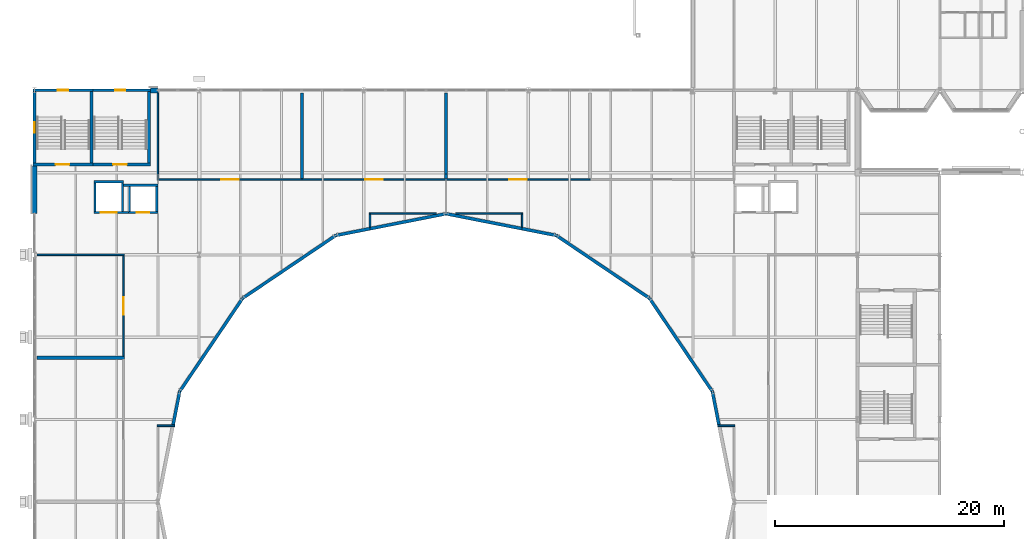
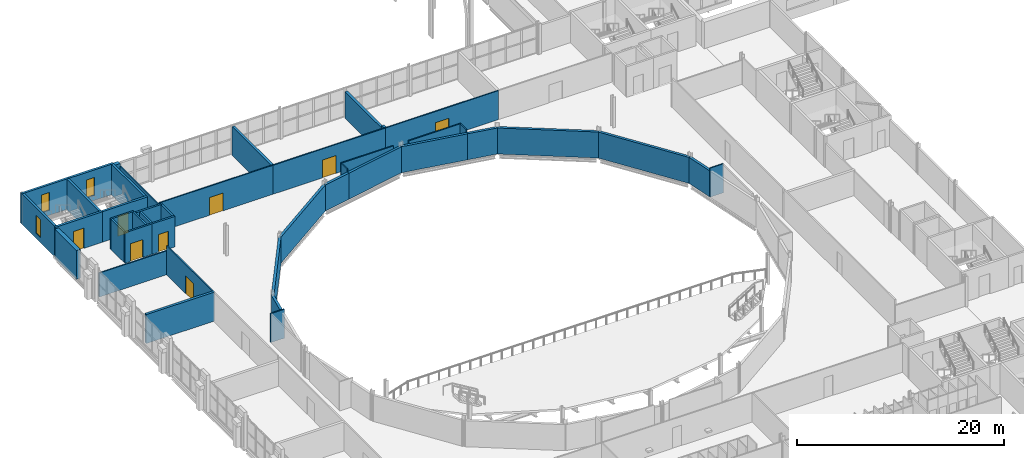
# One storey, part 71 of 124: 43 walls, 8 doors, 3 windows, 11 openings.
"""IFC4 building model written with IfcOpenShell, lengths in metres."""

from ifc_helpers import new_model, si_unit, direction, frame, frame_2d, origin, place, context, subcontext, project, spatial, rectangle, extrude, material, layer, layer_set, type_object, element, fill, save


model = new_model("IFC4")

# Units and contexts
model_context = context("Model", 3, precision=1e-05, world=origin(), true_north=direction((0.0, 1.0)))
body_context = subcontext(model_context, "Body", "Model", "MODEL_VIEW")
ifc_project = project(units=[si_unit("LENGTHUNIT", "METRE"), si_unit("AREAUNIT", "SQUARE_METRE"), si_unit("VOLUMEUNIT", "CUBIC_METRE"), si_unit("PLANEANGLEUNIT", "RADIAN"), si_unit("MASSUNIT", "GRAM", prefix="KILO")], contexts=[model_context])

# Site, building, storey
site_placement = place(None, origin())
site = spatial("IfcSite", under=ifc_project, at=site_placement, CompositionType="ELEMENT")
building_placement = place(site_placement, origin())
building = spatial("IfcBuilding", under=site, at=building_placement, Name="Kupolbacken Congress Centre", CompositionType="ELEMENT")
storey_placement = place(building_placement, frame((0.0, 0.0, 10.800048828125)))
storey = spatial("IfcBuildingStorey", under=building, at=storey_placement, Name="L03", CompositionType="ELEMENT", Elevation=10.800048828125)

# Walls
ifc_material_1 = material(Name="Limestone", Category="masonry")
ifc_layer_1 = layer(ifc_material_1, 0.1201171875)
ifc_material_2 = material(Name="Air cavity", Category="air")
ifc_layer_2 = layer(ifc_material_2, 0.0400390625, ventilated=True)
ifc_material_3 = material(Name="Mineral wool", Category="insulation")
ifc_layer_3 = layer(ifc_material_3, 0.159912109375)
ifc_material_4 = material(Name="Concrete block", Category="masonry")
ifc_layer_4 = layer(ifc_material_4, 0.1201171875)
ifc_layer_set_1 = layer_set([ifc_layer_1, ifc_layer_2, ifc_layer_3, ifc_layer_4], Name="Limestone / Mineral wool / Concrete block")
wall_type_1 = type_object("IfcWallType", Name="EW05 external cavity wall 440", PredefinedType="SOLIDWALL", material=ifc_layer_set_1)
wall_1_placement = place(storey_placement, frame((18.0, 122.39990234375, 0.0), z_axis=(0.0, 0.0, 1.0), x_axis=(-1.0, 0.0, 0.0)))
element("IfcWall", 1, at=wall_1_placement, inside=storey, type_object=wall_type_1, Name="E/P/N/L03/381", PredefinedType="SOLIDWALL", context=body_context, shape_type="SweptSolid", body=[
    extrude(rectangle(XDim=0.675048828125, YDim=0.43994140625, at=frame_2d((0.33740234375, 0.0))), origin(), (0.0, 0.0, 1.0), 3.419921875),
])
wall_2_placement = place(storey_placement, frame((7.199951171875, 115.77490234375, 0.0), z_axis=(0.0, 0.0, 1.0), x_axis=(0.0, -1.0, 0.0)))
element("IfcWall", 2, at=wall_2_placement, inside=storey, type_object=wall_type_1, Name="E/P/W/L03/385", PredefinedType="SOLIDWALL", context=body_context, shape_type="SweptSolid", body=[
    extrude(rectangle(XDim=4.1748046875, YDim=0.43994140625, at=frame_2d((2.08740234375, 0.0))), origin(), (0.0, 0.0, 1.0), 3.419921875),
])
ifc_material_5 = material(Name="Gypsum board", Category="drywall")
ifc_layer_5 = layer(ifc_material_5, 0.135009765625)
ifc_layer_set_2 = layer_set([ifc_layer_5], Name="Gypsum board")
wall_type_2 = type_object("IfcWallType", Name="P06 compartment wall 135", PredefinedType="PARTITIONING", material=ifc_layer_set_2)
wall_3_placement = place(storey_placement, frame((18.0, 122.179931640625, 0.0), z_axis=(0.0, 0.0, 1.0), x_axis=(0.0, -1.0, 0.0)))
element("IfcWall", 3, at=wall_3_placement, inside=storey, type_object=wall_type_2, Name="PD/L03/W006", PredefinedType="PARTITIONING", context=body_context, shape_type="SweptSolid", body=[
    extrude(rectangle(XDim=7.512451171875, YDim=0.135009765625, at=frame_2d((3.75634765625, 0.0))), origin(), (0.0, 0.0, 1.0), 3.119873046875),
])

# Wall, opening, door
wall_4_placement = place(storey_placement, frame((15.0, 107.9326171875, 0.0), z_axis=(0.0, 0.0, 1.0), x_axis=(0.0, -1.0, 0.0)))
wall_4 = element("IfcWall", 4, at=wall_4_placement, inside=storey, type_object=wall_type_2, Name="PD/L03/W056", PredefinedType="PARTITIONING", context=body_context, shape_type="SweptSolid", body=[
    extrude(rectangle(XDim=8.795166015625, YDim=0.135009765625, at=frame_2d((4.3974609375, 0.0))), origin(), (0.0, 0.0, 1.0), 3.419921875),
])
opening_1_placement = place(wall_4_placement, frame((3.64990234375, 0.0, 0.0)))
opening_1 = element("IfcOpeningElement", 5, at=opening_1_placement, cuts=wall_4, Name="Opening 3.P12", PredefinedType="OPENING", context=body_context, shape_type="SweptSolid", body=[
    extrude(rectangle(XDim=1.5, YDim=2.10009765625, at=frame_2d((0.75, 1.050048828125))), frame((0.0, 0.077392578125, 0.0), z_axis=(0.0, -1.0, 0.0), x_axis=(1.0, 0.0, 0.0)), (0.0, 0.0, 1.0), 0.155029296875),
])
ifc_material_6 = material(Name="Steel fire door leaf", Category="steel")
door_type_1 = type_object("IfcDoorType", Name="D12 fire door 1500x2100", OperationType="DOUBLE_DOOR_SINGLE_SWING", PredefinedType="DOOR", material=ifc_material_6)
door_1_placement = place(opening_1_placement, frame((1.5, 0.0, 0.0), z_axis=(0.0, 0.0, 1.0), x_axis=(-1.0, 0.0, 0.0)))
door_1 = element("IfcDoor", 6, at=door_1_placement, inside=storey, type_object=door_type_1, Name="PD/L03/W056/D3P12", OperationType="DOUBLE_DOOR_SINGLE_SWING", OverallHeight=2.10009765625, OverallWidth=1.5, PredefinedType="DOOR", context=body_context, shape_type="SweptSolid", body=[
    extrude(rectangle(XDim=1.5, YDim=2.10009765625, at=frame_2d((0.75, 1.050048828125))), frame((0.0, 0.02490234375, 0.0), z_axis=(0.0, -1.0, 0.0), x_axis=(1.0, 0.0, 0.0)), (0.0, 0.0, 1.0), 0.050048828125),
])
fill(opening_1, door_1)

# Wall
wall_5_placement = place(storey_placement, frame((7.419921875, 108.0, 0.0), z_axis=(0.0, 0.0, 1.0), x_axis=(1.0, 0.0, 0.0)))
element("IfcWall", 7, at=wall_5_placement, inside=storey, type_object=wall_type_2, Name="PD/L03/W057", PredefinedType="PARTITIONING", context=body_context, shape_type="SweptSolid", body=[
    extrude(rectangle(XDim=7.6474609375, YDim=0.135009765625, at=frame_2d((3.82373046875, 0.0))), origin(), (0.0, 0.0, 1.0), 2.820068359375),
])

# Wall, opening, door
wall_6_placement = place(storey_placement, frame((30.60009765625, 114.60009765625, 0.0), z_axis=(0.0, 0.0, 1.0), x_axis=(-1.0, 0.0, 0.0)))
wall_6 = element("IfcWall", 8, at=wall_6_placement, inside=storey, type_object=wall_type_2, Name="PD/L03/W059", PredefinedType="PARTITIONING", context=body_context, shape_type="SweptSolid", body=[
    extrude(rectangle(XDim=12.66748046875, YDim=0.135009765625, at=frame_2d((6.333740234375, 0.0))), origin(), (0.0, 0.0, 1.0), 3.419921875),
])
opening_2_placement = place(wall_6_placement, frame((5.550048828125, 0.0, 0.0)))
opening_2 = element("IfcOpeningElement", 9, at=opening_2_placement, cuts=wall_6, Name="Opening 3.P13", PredefinedType="OPENING", context=body_context, shape_type="SweptSolid", body=[
    extrude(rectangle(XDim=1.5, YDim=2.10009765625, at=frame_2d((0.75, 1.050048828125))), frame((0.0, 0.077392578125, 0.0), z_axis=(0.0, -1.0, 0.0), x_axis=(1.0, 0.0, 0.0)), (0.0, 0.0, 1.0), 0.155029296875),
])
door_2_placement = place(opening_2_placement, origin())
door_2 = element("IfcDoor", 10, at=door_2_placement, inside=storey, type_object=door_type_1, Name="PD/L03/W059/D3P13", OperationType="DOUBLE_DOOR_SINGLE_SWING", OverallHeight=2.10009765625, OverallWidth=1.5, PredefinedType="DOOR", context=body_context, shape_type="SweptSolid", body=[
    extrude(rectangle(XDim=1.5, YDim=2.10009765625, at=frame_2d((0.75, 1.050048828125))), frame((0.0, 0.02490234375, 0.0), z_axis=(0.0, -1.0, 0.0), x_axis=(1.0, 0.0, 0.0)), (0.0, 0.0, 1.0), 0.050048828125),
])
fill(opening_2, door_2)

wall_7_placement = place(storey_placement, frame((43.199951171875, 114.60009765625, 0.0), z_axis=(0.0, 0.0, 1.0), x_axis=(-1.0, 0.0, 0.0)))
wall_7 = element("IfcWall", 11, at=wall_7_placement, inside=storey, type_object=wall_type_2, Name="PD/L03/W061", PredefinedType="PARTITIONING", context=body_context, shape_type="SweptSolid", body=[
    extrude(rectangle(XDim=12.599853515625, YDim=0.135009765625, at=frame_2d((6.2998046875, 0.0))), origin(), (0.0, 0.0, 1.0), 3.419921875),
])
opening_3_placement = place(wall_7_placement, frame((5.550048828125, 0.0, 0.0)))
opening_3 = element("IfcOpeningElement", 12, at=opening_3_placement, cuts=wall_7, Name="Opening 3.P14", PredefinedType="OPENING", context=body_context, shape_type="SweptSolid", body=[
    extrude(rectangle(XDim=1.5, YDim=2.10009765625, at=frame_2d((0.75, 1.050048828125))), frame((0.0, 0.077392578125, 0.0), z_axis=(0.0, -1.0, 0.0), x_axis=(1.0, 0.0, 0.0)), (0.0, 0.0, 1.0), 0.155029296875),
])
door_3_placement = place(opening_3_placement, origin())
door_3 = element("IfcDoor", 13, at=door_3_placement, inside=storey, type_object=door_type_1, Name="PD/L03/W061/D3P14", OperationType="DOUBLE_DOOR_SINGLE_SWING", OverallHeight=2.10009765625, OverallWidth=1.5, PredefinedType="DOOR", context=body_context, shape_type="SweptSolid", body=[
    extrude(rectangle(XDim=1.5, YDim=2.10009765625, at=frame_2d((0.75, 1.050048828125))), frame((0.0, 0.02490234375, 0.0), z_axis=(0.0, -1.0, 0.0), x_axis=(1.0, 0.0, 0.0)), (0.0, 0.0, 1.0), 0.050048828125),
])
fill(opening_3, door_3)

wall_8_placement = place(storey_placement, frame((55.800048828125, 114.60009765625, 0.0), z_axis=(0.0, 0.0, 1.0), x_axis=(-1.0, 0.0, 0.0)))
wall_8 = element("IfcWall", 14, at=wall_8_placement, inside=storey, type_object=wall_type_2, Name="PD/L03/W063", PredefinedType="PARTITIONING", context=body_context, shape_type="SweptSolid", body=[
    extrude(rectangle(XDim=12.60009765625, YDim=0.135009765625, at=frame_2d((6.300048828125, 0.0))), origin(), (0.0, 0.0, 1.0), 3.419921875),
])
opening_4_placement = place(wall_8_placement, frame((5.550048828125, 0.0, 0.0)))
opening_4 = element("IfcOpeningElement", 15, at=opening_4_placement, cuts=wall_8, Name="Opening 3.P15", PredefinedType="OPENING", context=body_context, shape_type="SweptSolid", body=[
    extrude(rectangle(XDim=1.5, YDim=2.10009765625, at=frame_2d((0.75, 1.050048828125))), frame((0.0, 0.077392578125, 0.0), z_axis=(0.0, -1.0, 0.0), x_axis=(1.0, 0.0, 0.0)), (0.0, 0.0, 1.0), 0.155029296875),
])
door_4_placement = place(opening_4_placement, origin())
door_4 = element("IfcDoor", 16, at=door_4_placement, inside=storey, type_object=door_type_1, Name="PD/L03/W063/D3P15", OperationType="DOUBLE_DOOR_SINGLE_SWING", OverallHeight=2.10009765625, OverallWidth=1.5, PredefinedType="DOOR", context=body_context, shape_type="SweptSolid", body=[
    extrude(rectangle(XDim=1.5, YDim=2.10009765625, at=frame_2d((0.75, 1.050048828125))), frame((0.0, 0.02490234375, 0.0), z_axis=(0.0, -1.0, 0.0), x_axis=(1.0, 0.0, 0.0)), (0.0, 0.0, 1.0), 0.050048828125),
])
fill(opening_4, door_4)

# Walls
wall_9_placement = place(storey_placement, frame((42.35009765625, 111.60009765625, 0.0), z_axis=(0.0, 0.0, 1.0), x_axis=(-1.0, 0.0, 0.0)))
element("IfcWall", 17, at=wall_9_placement, inside=storey, type_object=wall_type_2, Name="PD/L03/W067", PredefinedType="PARTITIONING", context=body_context, shape_type="SweptSolid", body=[
    extrude(rectangle(XDim=5.86767578125, YDim=0.135009765625, at=frame_2d((2.933837890625, 0.0))), origin(), (0.0, 0.0, 1.0), 3.419921875),
])
wall_10_placement = place(storey_placement, frame((49.91748046875, 111.60009765625, 0.0), z_axis=(0.0, 0.0, 1.0), x_axis=(-1.0, 0.0, 0.0)))
element("IfcWall", 18, at=wall_10_placement, inside=storey, type_object=wall_type_2, Name="PD/L03/W068", PredefinedType="PARTITIONING", context=body_context, shape_type="SweptSolid", body=[
    extrude(rectangle(XDim=5.867431640625, YDim=0.135009765625, at=frame_2d((2.93359375, 0.0))), origin(), (0.0, 0.0, 1.0), 3.419921875),
])
wall_11_placement = place(storey_placement, frame((36.550048828125, 111.532470703125, 0.0), z_axis=(0.0, 0.0, 1.0), x_axis=(0.0, -1.0, 0.0)))
element("IfcWall", 19, at=wall_11_placement, inside=storey, type_object=wall_type_2, Name="PD/L03/W100", PredefinedType="PARTITIONING", context=body_context, shape_type="SweptSolid", body=[
    extrude(rectangle(XDim=1.104248046875, YDim=0.135009765625, at=frame_2d((0.55224609375, 0.0))), origin(), (0.0, 0.0, 1.0), 3.419921875),
])
wall_12_placement = place(storey_placement, frame((19.44677734375, 93.050048828125, 0.0), z_axis=(0.0, 0.0, 1.0), x_axis=(-1.0, 0.0, 0.0)))
element("IfcWall", 20, at=wall_12_placement, inside=storey, type_object=wall_type_2, Name="PD/L03/W101", PredefinedType="PARTITIONING", context=body_context, shape_type="SweptSolid", body=[
    extrude(rectangle(XDim=1.51416015625, YDim=0.135009765625, at=frame_2d((0.757080078125, 0.0))), origin(), (0.0, 0.0, 1.0), 3.419921875),
])
wall_13_placement = place(storey_placement, frame((68.467529296875, 93.050048828125, 0.0), z_axis=(0.0, 0.0, 1.0), x_axis=(-1.0, 0.0, 0.0)))
element("IfcWall", 21, at=wall_13_placement, inside=storey, type_object=wall_type_2, Name="PD/L03/W108", PredefinedType="PARTITIONING", context=body_context, shape_type="SweptSolid", body=[
    extrude(rectangle(XDim=1.514404296875, YDim=0.135009765625, at=frame_2d((0.75732421875, 0.0))), origin(), (0.0, 0.0, 1.0), 3.419921875),
])
wall_14_placement = place(storey_placement, frame((49.85009765625, 110.42822265625, 0.0), z_axis=(0.0, 0.0, 1.0), x_axis=(0.0, 1.0, 0.0)))
element("IfcWall", 22, at=wall_14_placement, inside=storey, type_object=wall_type_2, Name="PD/L03/W109", PredefinedType="PARTITIONING", context=body_context, shape_type="SweptSolid", body=[
    extrude(rectangle(XDim=1.104248046875, YDim=0.135009765625, at=frame_2d((0.55224609375, 0.0))), origin(), (0.0, 0.0, 1.0), 3.419921875),
])
ifc_material_7 = material(Name="Gypsum board", Category="drywall")
ifc_layer_6 = layer(ifc_material_7, 0.27490234375)
ifc_layer_set_3 = layer_set([ifc_layer_6], Name="Gypsum board")
wall_type_3 = type_object("IfcWallType", Name="P12 partition 275", PredefinedType="PARTITIONING", material=ifc_layer_set_3)
wall_15_placement = place(storey_placement, frame((7.419921875, 99.0, 0.0), z_axis=(0.0, 0.0, 1.0), x_axis=(1.0, 0.0, 0.0)))
element("IfcWall", 23, at=wall_15_placement, inside=storey, type_object=wall_type_3, Name="PD/L03/W054", PredefinedType="PARTITIONING", context=body_context, shape_type="SweptSolid", body=[
    extrude(rectangle(XDim=7.6474609375, YDim=0.27490234375, at=frame_2d((3.82373046875, 0.0))), origin(), (0.0, 0.0, 1.0), 3.419921875),
])
wall_16_placement = place(storey_placement, frame((30.60009765625, 122.179931640625, 0.0), z_axis=(0.0, 0.0, 1.0), x_axis=(0.0, -1.0, 0.0)))
element("IfcWall", 24, at=wall_16_placement, inside=storey, type_object=wall_type_3, Name="PD/L03/W058", PredefinedType="PARTITIONING", context=body_context, shape_type="SweptSolid", body=[
    extrude(rectangle(XDim=7.512451171875, YDim=0.27490234375, at=frame_2d((3.75634765625, 0.0))), origin(), (0.0, 0.0, 1.0), 3.419921875),
])
wall_17_placement = place(storey_placement, frame((43.199951171875, 122.179931640625, 0.0), z_axis=(0.0, 0.0, 1.0), x_axis=(0.0, -1.0, 0.0)))
element("IfcWall", 25, at=wall_17_placement, inside=storey, type_object=wall_type_3, Name="PD/L03/W060", PredefinedType="PARTITIONING", context=body_context, shape_type="SweptSolid", body=[
    extrude(rectangle(XDim=7.08984375, YDim=0.27490234375, at=frame_2d((3.544921875, 0.0))), origin(), (0.0, 0.0, 1.0), 3.119873046875),
])
wall_18_placement = place(storey_placement, frame((19.89990234375, 96.050048828125, 0.0), z_axis=(0.0, 0.0, 1.0), x_axis=(-0.193179069745, -0.98116351696, 0.0)))
element("IfcWall", 26, at=wall_18_placement, inside=storey, type_object=wall_type_3, Name="PD/L03/W102", PredefinedType="PARTITIONING", context=body_context, shape_type="SweptSolid", body=[
    extrude(rectangle(XDim=2.990234375, YDim=0.27490234375, at=frame_2d((1.4951171875, 0.0))), origin(), (0.0, 0.0, 1.0), 3.070068359375),
])
wall_19_placement = place(storey_placement, frame((36.550048828125, 110.290771484375, 0.0), z_axis=(0.0, 0.0, 1.0), x_axis=(-0.981153778086, -0.19322852726, 0.0)))
element("IfcWall", 27, at=wall_19_placement, inside=storey, type_object=wall_type_3, Name="PD/L03/W103", PredefinedType="PARTITIONING", context=body_context, shape_type="SweptSolid", body=[
    extrude(rectangle(XDim=3.0576171875, YDim=0.27490234375, at=frame_2d((1.52880859375, 0.0))), origin(), (0.0, 0.0, 1.0), 3.070068359375),
])
wall_20_placement = place(storey_placement, frame((33.550048828125, 109.699951171875, 0.0), z_axis=(0.0, 0.0, 1.0), x_axis=(-0.828912285216, -0.559378604719, 0.0)))
element("IfcWall", 28, at=wall_20_placement, inside=storey, type_object=wall_type_3, Name="PD/L03/W104", PredefinedType="PARTITIONING", context=body_context, shape_type="SweptSolid", body=[
    extrude(rectangle(XDim=9.832275390625, YDim=0.27490234375, at=frame_2d((4.916015625, 0.0))), origin(), (0.0, 0.0, 1.0), 3.070068359375),
])
wall_21_placement = place(storey_placement, frame((25.39990234375, 104.199951171875, 0.0), z_axis=(0.0, 0.0, 1.0), x_axis=(-0.559390118145, -0.828904515443, 0.0)))
element("IfcWall", 29, at=wall_21_placement, inside=storey, type_object=wall_type_3, Name="PD/L03/W105", PredefinedType="PARTITIONING", context=body_context, shape_type="SweptSolid", body=[
    extrude(rectangle(XDim=9.83203125, YDim=0.27490234375, at=frame_2d((4.916015625, 0.0))), origin(), (0.0, 0.0, 1.0), 3.070068359375),
])
wall_22_placement = place(storey_placement, frame((43.199951171875, 111.60009765625, 0.0), z_axis=(0.0, 0.0, 1.0), x_axis=(-0.981162344826, -0.193185022957, 0.0)))
element("IfcWall", 30, at=wall_22_placement, inside=storey, type_object=wall_type_3, Name="PD/L03/W106", PredefinedType="PARTITIONING", context=body_context, shape_type="SweptSolid", body=[
    extrude(rectangle(XDim=6.777587890625, YDim=0.27490234375, at=frame_2d((3.388671875, 0.0))), origin(), (0.0, 0.0, 1.0), 3.070068359375),
])
wall_23_placement = place(storey_placement, frame((61.0, 104.199951171875, 0.0), z_axis=(0.0, 0.0, 1.0), x_axis=(-0.828904515443, 0.559390118145, 0.0)))
element("IfcWall", 31, at=wall_23_placement, inside=storey, type_object=wall_type_3, Name="PD/L03/W110", PredefinedType="PARTITIONING", context=body_context, shape_type="SweptSolid", body=[
    extrude(rectangle(XDim=9.83203125, YDim=0.27490234375, at=frame_2d((4.916015625, 0.0))), origin(), (0.0, 0.0, 1.0), 3.070068359375),
])
wall_24_placement = place(storey_placement, frame((52.85009765625, 109.699951171875, 0.0), z_axis=(0.0, 0.0, 1.0), x_axis=(-0.981153778086, 0.19322852726, 0.0)))
element("IfcWall", 32, at=wall_24_placement, inside=storey, type_object=wall_type_3, Name="PD/L03/W111", PredefinedType="PARTITIONING", context=body_context, shape_type="SweptSolid", body=[
    extrude(rectangle(XDim=3.0576171875, YDim=0.27490234375, at=frame_2d((1.52880859375, 0.0))), origin(), (0.0, 0.0, 1.0), 3.070068359375),
])
wall_25_placement = place(storey_placement, frame((67.07763671875, 93.1162109375, 0.0), z_axis=(0.0, 0.0, 1.0), x_axis=(-0.193179069745, 0.98116351696, 0.0)))
element("IfcWall", 33, at=wall_25_placement, inside=storey, type_object=wall_type_3, Name="PD/L03/W112", PredefinedType="PARTITIONING", context=body_context, shape_type="SweptSolid", body=[
    extrude(rectangle(XDim=2.990234375, YDim=0.27490234375, at=frame_2d((1.4951171875, 0.0))), origin(), (0.0, 0.0, 1.0), 3.070068359375),
])
wall_26_placement = place(storey_placement, frame((66.5, 96.050048828125, 0.0), z_axis=(0.0, 0.0, 1.0), x_axis=(-0.559390118145, 0.828904515443, 0.0)))
element("IfcWall", 34, at=wall_26_placement, inside=storey, type_object=wall_type_3, Name="PD/L03/W113", PredefinedType="PARTITIONING", context=body_context, shape_type="SweptSolid", body=[
    extrude(rectangle(XDim=9.83203125, YDim=0.27490234375, at=frame_2d((4.916015625, 0.0))), origin(), (0.0, 0.0, 1.0), 3.070068359375),
])
wall_27_placement = place(storey_placement, frame((49.85009765625, 110.290771484375, 0.0), z_axis=(0.0, 0.0, 1.0), x_axis=(-0.981163689106, 0.193178195406, 0.0)))
element("IfcWall", 35, at=wall_27_placement, inside=storey, type_object=wall_type_3, Name="PD/L03/W115", PredefinedType="PARTITIONING", context=body_context, shape_type="SweptSolid", body=[
    extrude(rectangle(XDim=6.77783203125, YDim=0.27490234375, at=frame_2d((3.388916015625, 0.0))), origin(), (0.0, 0.0, 1.0), 3.070068359375),
])
wall_28_placement = place(storey_placement, frame((43.199951171875, 115.090087890625, 0.0), z_axis=(0.0, 0.0, 1.0), x_axis=(0.0, -1.0, 0.0)))
element("IfcWall", 36, at=wall_28_placement, inside=storey, type_object=wall_type_3, Name="PD/L03/W060.h1", PredefinedType="PARTITIONING", context=body_context, shape_type="SweptSolid", body=[
    extrude(rectangle(XDim=0.422607421875, YDim=0.27490234375, at=frame_2d((0.21142578125, 0.0))), origin(), (0.0, 0.0, 1.0), 3.419921875),
])

# Wall, opening, door
ifc_material_8 = material(Name="Concrete C40/50", Category="concrete")
ifc_layer_7 = layer(ifc_material_8, 0.199951171875)
ifc_layer_set_4 = layer_set([ifc_layer_7], Name="Concrete C40/50")
wall_type_4 = type_object("IfcWallType", Name="WC1 RC shaft wall 200", PredefinedType="SHEAR", material=ifc_layer_set_4)
wall_29_placement = place(storey_placement, frame((15.39990234375, 111.699951171875, 0.0), z_axis=(0.0, 0.0, 1.0), x_axis=(1.0, 0.0, 0.0)))
wall_29 = element("IfcWall", 37, at=wall_29_placement, inside=storey, type_object=wall_type_4, Name="Shaft wall LP7", PredefinedType="SHEAR", context=body_context, shape_type="SweptSolid", body=[
    extrude(rectangle(XDim=2.60009765625, YDim=0.199951171875, at=frame_2d((1.300048828125, 0.0))), origin(), (0.0, 0.0, 1.0), 3.599853515625),
])
opening_5_placement = place(wall_29_placement, frame((0.75, 0.0, 0.0)))
opening_5 = element("IfcOpeningElement", 38, at=opening_5_placement, cuts=wall_29, Name="Opening LD2", PredefinedType="OPENING", context=body_context, shape_type="SweptSolid", body=[
    extrude(rectangle(XDim=1.10009765625, YDim=2.10009765625, at=frame_2d((0.550048828125, 1.050048828125))), frame((0.0, 0.10986328125, 0.0), z_axis=(0.0, -1.0, 0.0), x_axis=(1.0, 0.0, 0.0)), (0.0, 0.0, 1.0), 0.219970703125),
])
ifc_material_9 = material(Name="Stainless steel door leaf", Category="steel")
door_type_2 = type_object("IfcDoorType", Name="LD2 lift landing door 1100x2100", OperationType="SLIDING_TO_LEFT", PredefinedType="DOOR", material=ifc_material_9)
door_5_placement = place(opening_5_placement, origin())
door_5 = element("IfcDoor", 39, at=door_5_placement, inside=storey, type_object=door_type_2, Name="Lift landing door LP7", OperationType="SLIDING_TO_LEFT", OverallHeight=2.10009765625, OverallWidth=1.10009765625, PredefinedType="DOOR", context=body_context, shape_type="SweptSolid", body=[
    extrude(rectangle(XDim=1.10009765625, YDim=2.10009765625, at=frame_2d((0.550048828125, 1.050048828125))), frame((0.0, 0.02490234375, 0.0), z_axis=(0.0, -1.0, 0.0), x_axis=(1.0, 0.0, 0.0)), (0.0, 0.0, 1.0), 0.050048828125),
])
fill(opening_5, door_5)

# Walls
wall_30_placement = place(storey_placement, frame((15.0, 114.10009765625, 0.0), z_axis=(0.0, 0.0, 1.0), x_axis=(1.0, 0.0, 0.0)))
element("IfcWall", 40, at=wall_30_placement, inside=storey, type_object=wall_type_4, Name="Shaft wall LP7", PredefinedType="SHEAR", context=body_context, shape_type="SweptSolid", body=[
    extrude(rectangle(XDim=3.0, YDim=0.199951171875, at=frame_2d((1.5, 0.0))), origin(), (0.0, 0.0, 1.0), 3.599853515625),
])
for number, where, z_axis, x_axis, name in (
    (41, (15.5, 111.800048828125, 0.0), (0.0, 0.0, 1.0), (0.0, 1.0, 0.0), "Shaft wall LP7"),
    (42, (17.89990234375, 111.800048828125, 0.0), (0.0, 0.0, 1.0), (0.0, 1.0, 0.0), "Shaft wall LP7"),
):
    element("IfcWall", number, at=place(storey_placement, frame(where, z_axis=z_axis, x_axis=x_axis)), inside=storey, type_object=wall_type_4, Name=name, PredefinedType="SHEAR", context=body_context, shape_type="SweptSolid", body=[
        extrude(rectangle(XDim=2.199951171875, YDim=0.199951171875, at=frame_2d((1.10009765625, 0.0))), origin(), (0.0, 0.0, 1.0), 3.599853515625),
    ])

# Wall, opening, door
wall_31_placement = place(storey_placement, frame((12.39990234375, 111.699951171875, 0.0), z_axis=(0.0, 0.0, 1.0), x_axis=(1.0, 0.0, 0.0)))
wall_31 = element("IfcWall", 43, at=wall_31_placement, inside=storey, type_object=wall_type_4, Name="Shaft wall LG1", PredefinedType="SHEAR", context=body_context, shape_type="SweptSolid", body=[
    extrude(rectangle(XDim=3.0, YDim=0.199951171875, at=frame_2d((1.5, 0.0))), origin(), (0.0, 0.0, 1.0), 3.599853515625),
])
opening_6_placement = place(wall_31_placement, frame((0.60009765625, 0.0, 0.0)))
opening_6 = element("IfcOpeningElement", 44, at=opening_6_placement, cuts=wall_31, Name="Opening LD3", PredefinedType="OPENING", context=body_context, shape_type="SweptSolid", body=[
    extrude(rectangle(XDim=1.39990234375, YDim=2.10009765625, at=frame_2d((0.699951171875, 1.050048828125))), frame((0.0, 0.10986328125, 0.0), z_axis=(0.0, -1.0, 0.0), x_axis=(1.0, 0.0, 0.0)), (0.0, 0.0, 1.0), 0.219970703125),
])
ifc_material_10 = material(Name="Stainless steel door leaf", Category="steel")
door_type_3 = type_object("IfcDoorType", Name="LD3 lift landing door 1400x2100", OperationType="SLIDING_TO_LEFT", PredefinedType="DOOR", material=ifc_material_10)
door_6_placement = place(opening_6_placement, origin())
door_6 = element("IfcDoor", 45, at=door_6_placement, inside=storey, type_object=door_type_3, Name="Lift landing door LG1", OperationType="SLIDING_TO_LEFT", OverallHeight=2.10009765625, OverallWidth=1.39990234375, PredefinedType="DOOR", context=body_context, shape_type="SweptSolid", body=[
    extrude(rectangle(XDim=1.39990234375, YDim=2.10009765625, at=frame_2d((0.699951171875, 1.050048828125))), frame((0.0, 0.02490234375, 0.0), z_axis=(0.0, -1.0, 0.0), x_axis=(1.0, 0.0, 0.0)), (0.0, 0.0, 1.0), 0.050048828125),
])
fill(opening_6, door_6)

# Walls
wall_32_placement = place(storey_placement, frame((12.39990234375, 114.39990234375, 0.0), z_axis=(0.0, 0.0, 1.0), x_axis=(1.0, 0.0, 0.0)))
element("IfcWall", 46, at=wall_32_placement, inside=storey, type_object=wall_type_4, Name="Shaft wall LG1", PredefinedType="SHEAR", context=body_context, shape_type="SweptSolid", body=[
    extrude(rectangle(XDim=2.60009765625, YDim=0.199951171875, at=frame_2d((1.300048828125, 0.0))), origin(), (0.0, 0.0, 1.0), 3.599853515625),
])
for number, where, z_axis, x_axis, name in (
    (47, (12.5, 111.800048828125, 0.0), (0.0, 0.0, 1.0), (0.0, 1.0, 0.0), "Shaft wall LG1"),
    (48, (14.89990234375, 111.800048828125, 0.0), (0.0, 0.0, 1.0), (0.0, 1.0, 0.0), "Shaft wall LG1"),
):
    element("IfcWall", number, at=place(storey_placement, frame(where, z_axis=z_axis, x_axis=x_axis)), inside=storey, type_object=wall_type_4, Name=name, PredefinedType="SHEAR", context=body_context, shape_type="SweptSolid", body=[
        extrude(rectangle(XDim=2.5, YDim=0.199951171875, at=frame_2d((1.25, 0.0))), origin(), (0.0, 0.0, 1.0), 3.599853515625),
    ])

# Wall, opening, door
ifc_material_11 = material(Name="Concrete C40/50", Category="concrete")
ifc_layer_8 = layer(ifc_material_11, 0.25)
ifc_layer_set_5 = layer_set([ifc_layer_8], Name="Concrete C40/50")
wall_type_5 = type_object("IfcWallType", Name="WC2 RC stair enclosure wall 250", PredefinedType="SHEAR", material=ifc_layer_set_5)
wall_33_placement = place(storey_placement, frame((7.074951171875, 115.89990234375, 0.0), z_axis=(0.0, 0.0, 1.0), x_axis=(1.0, 0.0, 0.0)))
wall_33 = element("IfcWall", 49, at=wall_33_placement, inside=storey, type_object=wall_type_5, Name="Stair enclosure wall L03-064", PredefinedType="SHEAR", context=body_context, shape_type="SweptSolid", body=[
    extrude(rectangle(XDim=5.25, YDim=0.25, at=frame_2d((2.625, 0.0))), origin(), (0.0, 0.0, 1.0), 3.599853515625),
])
opening_7_placement = place(wall_33_placement, frame((1.97509765625, 0.0, 0.0)))
opening_7 = element("IfcOpeningElement", 50, at=opening_7_placement, cuts=wall_33, Name="Opening 3.P05", PredefinedType="OPENING", context=body_context, shape_type="SweptSolid", body=[
    extrude(rectangle(XDim=1.199951171875, YDim=2.39990234375, at=frame_2d((0.60009765625, 1.199951171875))), frame((0.0, 0.135009765625, 0.0), z_axis=(0.0, -1.0, 0.0), x_axis=(1.0, 0.0, 0.0)), (0.0, 0.0, 1.0), 0.27001953125),
])
ifc_material_12 = material(Name="Steel fire door leaf", Category="steel")
door_type_4 = type_object("IfcDoorType", Name="D9 fire door 1200x2400", OperationType="SINGLE_SWING_LEFT", PredefinedType="DOOR", material=ifc_material_12)
door_7_placement = place(opening_7_placement, origin())
door_7 = element("IfcDoor", 51, at=door_7_placement, inside=storey, type_object=door_type_4, Name="S/core/L03/064/D3P05", OperationType="SINGLE_SWING_RIGHT", OverallHeight=2.39990234375, OverallWidth=1.199951171875, PredefinedType="DOOR", context=body_context, shape_type="SweptSolid", body=[
    extrude(rectangle(XDim=1.199951171875, YDim=2.39990234375, at=frame_2d((0.60009765625, 1.199951171875))), frame((0.0, 0.02490234375, 0.0), z_axis=(0.0, -1.0, 0.0), x_axis=(1.0, 0.0, 0.0)), (0.0, 0.0, 1.0), 0.050048828125),
])
fill(opening_7, door_7)

wall_34_placement = place(storey_placement, frame((12.324951171875, 115.89990234375, 0.0), z_axis=(0.0, 0.0, 1.0), x_axis=(1.0, 0.0, 0.0)))
wall_34 = element("IfcWall", 52, at=wall_34_placement, inside=storey, type_object=wall_type_5, Name="Stair enclosure wall L03-065", PredefinedType="SHEAR", context=body_context, shape_type="SweptSolid", body=[
    extrude(rectangle(XDim=5.0, YDim=0.25, at=frame_2d((2.5, 0.0))), origin(), (0.0, 0.0, 1.0), 3.599853515625),
])
opening_8_placement = place(wall_34_placement, frame((1.75, 0.0, 0.0)))
opening_8 = element("IfcOpeningElement", 53, at=opening_8_placement, cuts=wall_34, Name="Opening 3.P06", PredefinedType="OPENING", context=body_context, shape_type="SweptSolid", body=[
    extrude(rectangle(XDim=1.199951171875, YDim=2.39990234375, at=frame_2d((0.60009765625, 1.199951171875))), frame((0.0, 0.135009765625, 0.0), z_axis=(0.0, -1.0, 0.0), x_axis=(1.0, 0.0, 0.0)), (0.0, 0.0, 1.0), 0.27001953125),
])
door_8_placement = place(opening_8_placement, origin())
door_8 = element("IfcDoor", 54, at=door_8_placement, inside=storey, type_object=door_type_4, Name="S/core/L03/065/D3P06", OperationType="SINGLE_SWING_RIGHT", OverallHeight=2.39990234375, OverallWidth=1.199951171875, PredefinedType="DOOR", context=body_context, shape_type="SweptSolid", body=[
    extrude(rectangle(XDim=1.199951171875, YDim=2.39990234375, at=frame_2d((0.60009765625, 1.199951171875))), frame((0.0, 0.02490234375, 0.0), z_axis=(0.0, -1.0, 0.0), x_axis=(1.0, 0.0, 0.0)), (0.0, 0.0, 1.0), 0.050048828125),
])
fill(opening_8, door_8)

# Walls
for number, where, z_axis, x_axis, name in (
    (55, (12.199951171875, 115.77490234375, 0.0), (0.0, 0.0, 1.0), (0.0, 1.0, 0.0), "Stair enclosure wall L03-066"),
    (56, (17.199951171875, 115.77490234375, 0.0), (0.0, 0.0, 1.0), (0.0, 1.0, 0.0), "Stair enclosure wall L03-067"),
):
    element("IfcWall", number, at=place(storey_placement, frame(where, z_axis=z_axis, x_axis=x_axis)), inside=storey, type_object=wall_type_5, Name=name, PredefinedType="SHEAR", context=body_context, shape_type="SweptSolid", body=[
        extrude(rectangle(XDim=6.75, YDim=0.25, at=frame_2d((3.375, 0.0))), origin(), (0.0, 0.0, 1.0), 3.599853515625),
    ])

# Wall, opening, window
wall_35_placement = place(storey_placement, frame((7.199951171875, 122.52490234375, 0.0), z_axis=(0.0, 0.0, 1.0), x_axis=(0.0, -1.0, 0.0)))
wall_35 = element("IfcWall", 57, at=wall_35_placement, inside=storey, type_object=wall_type_5, Name="Stair enclosure wall L03-072", PredefinedType="SHEAR", context=body_context, shape_type="SweptSolid", body=[
    extrude(rectangle(XDim=6.75, YDim=0.25, at=frame_2d((3.375, 0.0))), origin(), (0.0, 0.0, 1.0), 3.599853515625),
])
opening_9_placement = place(wall_35_placement, frame((2.925048828125, 0.0, 0.60009765625)))
opening_9 = element("IfcOpeningElement", 58, at=opening_9_placement, cuts=wall_35, Name="Opening W28", PredefinedType="OPENING", context=body_context, shape_type="SweptSolid", body=[
    extrude(rectangle(XDim=0.89990234375, YDim=2.10009765625, at=frame_2d((0.449951171875, 1.050048828125))), frame((0.0, 0.135009765625, 0.0), z_axis=(0.0, -1.0, 0.0), x_axis=(1.0, 0.0, 0.0)), (0.0, 0.0, 1.0), 0.27001953125),
])
ifc_material_13 = material(Name="Aluminium frame with double or triple glazing", Category="aluminium")
window_type = type_object("IfcWindowType", Name="W28 window 900x2100", PartitioningType="SINGLE_PANEL", PredefinedType="WINDOW", material=ifc_material_13)
window_1_placement = place(opening_9_placement, origin())
window_1 = element("IfcWindow", 59, at=window_1_placement, inside=storey, type_object=window_type, Name="S/core/L03/072/W1/L03", OverallHeight=2.10009765625, OverallWidth=0.89990234375, PartitioningType="SINGLE_PANEL", PredefinedType="WINDOW", context=body_context, shape_type="SweptSolid", body=[
    extrude(rectangle(XDim=0.89990234375, YDim=2.10009765625, at=frame_2d((0.449951171875, 1.050048828125))), frame((0.0, 0.030029296875, 0.0), z_axis=(0.0, -1.0, 0.0), x_axis=(1.0, 0.0, 0.0)), (0.0, 0.0, 1.0), 0.06005859375),
])
fill(opening_9, window_1)

wall_36_placement = place(storey_placement, frame((12.324951171875, 122.39990234375, 0.0), z_axis=(0.0, 0.0, 1.0), x_axis=(-1.0, 0.0, 0.0)))
wall_36 = element("IfcWall", 60, at=wall_36_placement, inside=storey, type_object=wall_type_5, Name="Stair enclosure wall L03-073", PredefinedType="SHEAR", context=body_context, shape_type="SweptSolid", body=[
    extrude(rectangle(XDim=5.25, YDim=0.25, at=frame_2d((2.625, 0.0))), origin(), (0.0, 0.0, 1.0), 3.599853515625),
])
opening_10_placement = place(wall_36_placement, frame((2.175048828125, 0.0, 0.60009765625)))
opening_10 = element("IfcOpeningElement", 61, at=opening_10_placement, cuts=wall_36, Name="Opening W28", PredefinedType="OPENING", context=body_context, shape_type="SweptSolid", body=[
    extrude(rectangle(XDim=0.89990234375, YDim=2.10009765625, at=frame_2d((0.449951171875, 1.050048828125))), frame((0.0, 0.135009765625, 0.0), z_axis=(0.0, -1.0, 0.0), x_axis=(1.0, 0.0, 0.0)), (0.0, 0.0, 1.0), 0.27001953125),
])
window_2_placement = place(opening_10_placement, origin())
window_2 = element("IfcWindow", 62, at=window_2_placement, inside=storey, type_object=window_type, Name="S/core/L03/073/W1/L03", OverallHeight=2.10009765625, OverallWidth=0.89990234375, PartitioningType="SINGLE_PANEL", PredefinedType="WINDOW", context=body_context, shape_type="SweptSolid", body=[
    extrude(rectangle(XDim=0.89990234375, YDim=2.10009765625, at=frame_2d((0.449951171875, 1.050048828125))), frame((0.0, 0.030029296875, 0.0), z_axis=(0.0, -1.0, 0.0), x_axis=(1.0, 0.0, 0.0)), (0.0, 0.0, 1.0), 0.06005859375),
])
fill(opening_10, window_2)

wall_37_placement = place(storey_placement, frame((17.324951171875, 122.39990234375, 0.0), z_axis=(0.0, 0.0, 1.0), x_axis=(-1.0, 0.0, 0.0)))
wall_37 = element("IfcWall", 63, at=wall_37_placement, inside=storey, type_object=wall_type_5, Name="Stair enclosure wall L03-074", PredefinedType="SHEAR", context=body_context, shape_type="SweptSolid", body=[
    extrude(rectangle(XDim=5.0, YDim=0.25, at=frame_2d((2.5, 0.0))), origin(), (0.0, 0.0, 1.0), 3.599853515625),
])
opening_11_placement = place(wall_37_placement, frame((2.175048828125, 0.0, 0.60009765625)))
opening_11 = element("IfcOpeningElement", 64, at=opening_11_placement, cuts=wall_37, Name="Opening W28", PredefinedType="OPENING", context=body_context, shape_type="SweptSolid", body=[
    extrude(rectangle(XDim=0.89990234375, YDim=2.10009765625, at=frame_2d((0.449951171875, 1.050048828125))), frame((0.0, 0.135009765625, 0.0), z_axis=(0.0, -1.0, 0.0), x_axis=(1.0, 0.0, 0.0)), (0.0, 0.0, 1.0), 0.27001953125),
])
window_3_placement = place(opening_11_placement, origin())
window_3 = element("IfcWindow", 65, at=window_3_placement, inside=storey, type_object=window_type, Name="S/core/L03/074/W1/L03", OverallHeight=2.10009765625, OverallWidth=0.89990234375, PartitioningType="SINGLE_PANEL", PredefinedType="WINDOW", context=body_context, shape_type="SweptSolid", body=[
    extrude(rectangle(XDim=0.89990234375, YDim=2.10009765625, at=frame_2d((0.449951171875, 1.050048828125))), frame((0.0, 0.030029296875, 0.0), z_axis=(0.0, -1.0, 0.0), x_axis=(1.0, 0.0, 0.0)), (0.0, 0.0, 1.0), 0.06005859375),
])
fill(opening_11, window_3)

save(model, "model.ifc")
